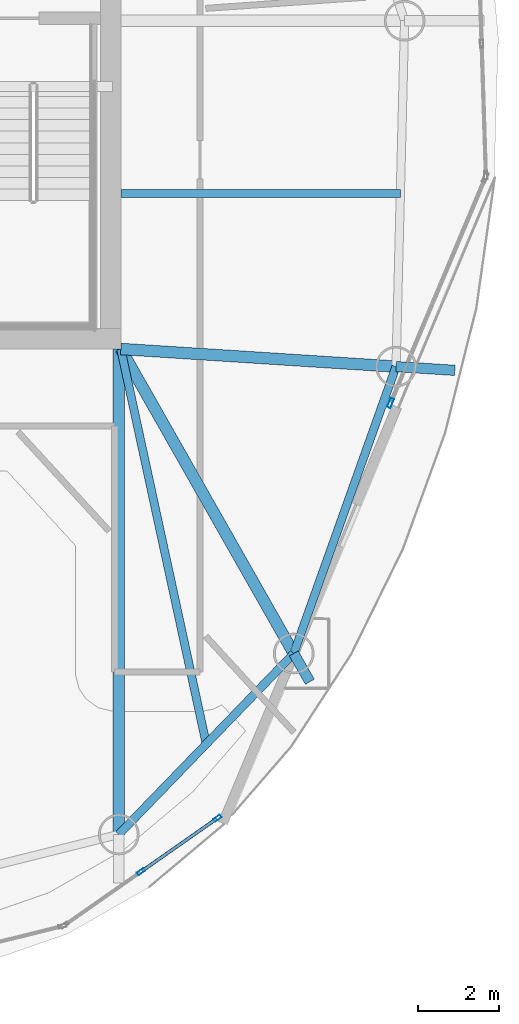
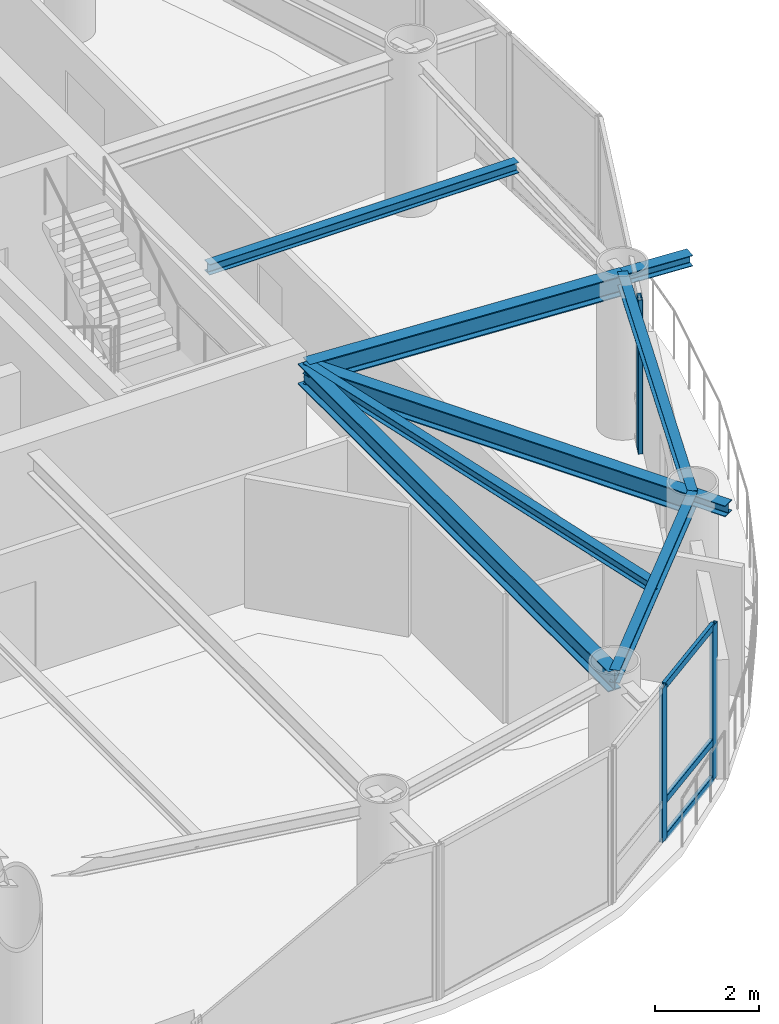
# One storey, part 8 of 23: 9 beams, 6 members, 2 elements without a shape of their own.
"""IFC4 building model written with IfcOpenShell, lengths in metres."""

from ifc_helpers import new_model, si_unit, direction, frame, origin, origin_2d, place, context, subcontext, project, spatial, hollow_rectangle, i_section, extrude, material, layer, layer_set, material_profile, profile_set, type_object, element, aggregate, save


model = new_model("IFC4")

# Units and contexts
model_context = context("Model", 3, precision=1e-05, world=origin(), true_north=direction((0.0, 1.0)))
body_context = subcontext(model_context, "Body", "Model", "MODEL_VIEW")
ifc_project = project(units=[si_unit("LENGTHUNIT", "METRE"), si_unit("AREAUNIT", "SQUARE_METRE"), si_unit("VOLUMEUNIT", "CUBIC_METRE"), si_unit("PLANEANGLEUNIT", "RADIAN"), si_unit("MASSUNIT", "GRAM", prefix="KILO")], contexts=[model_context])

# Site, building, storey
site_placement = place(None, origin())
site = spatial("IfcSite", under=ifc_project, at=site_placement, CompositionType="ELEMENT")
building_placement = place(site_placement, origin())
building = spatial("IfcBuilding", under=site, at=building_placement, Name="Bramvorn Convention Spire", CompositionType="ELEMENT")
storey_placement = place(building_placement, frame((0.0, 0.0, 295.949951171875)))
storey = spatial("IfcBuildingStorey", under=building, at=storey_placement, Name="L75", CompositionType="ELEMENT", Elevation=295.949951171875)

# Beams
ifc_material_1 = material(Name="Steel CSA G40.21 Grade 350 (350W)", Category="steel")
ifc_material_profile_1 = material_profile(ifc_material_1, i_section(OverallWidth=0.201904296875, OverallDepth=0.2470703125, WebThickness=0.00732421875, FlangeThickness=0.010986328125, FilletRadius=0.011962890625, at=origin_2d()))
ifc_profile_set_1 = profile_set([ifc_material_profile_1], Name="Steel CSA G40.21 Grade 350 (350W) - W250X49")
beam_type_1 = type_object("IfcBeamType", Name="BM-W250X49", PredefinedType="JOIST", material=ifc_profile_set_1)
beam_1_placement = place(storey_placement, frame((49.25, 18.550048828125, 3.50146484375), z_axis=(0.211461445939, -0.977386339623, 0.0), x_axis=(0.977386339623, 0.211461445939, 0.0)))
element("IfcBeam", 1, at=beam_1_placement, inside=storey, type_object=beam_type_1, Name="L75 composite floor joist 01", PredefinedType="JOIST", context=body_context, shape_type="SweptSolid", body=[
    extrude(i_section(OverallWidth=0.201904296875, OverallDepth=0.2470703125, WebThickness=0.00732421875, FlangeThickness=0.010986328125, FilletRadius=0.011962890625, at=origin_2d()), origin(), (0.0, 0.0, 1.0), 9.9462890625),
])
beam_2_placement = place(storey_placement, frame((49.25, 22.373046875, 3.50146484375), z_axis=(1.0, 0.0, 0.0), x_axis=(0.0, 1.0, 0.0)))
element("IfcBeam", 2, at=beam_2_placement, inside=storey, type_object=beam_type_1, Name="L75 composite floor joist 03", PredefinedType="JOIST", context=body_context, shape_type="SweptSolid", body=[
    extrude(i_section(OverallWidth=0.201904296875, OverallDepth=0.2470703125, WebThickness=0.00732421875, FlangeThickness=0.010986328125, FilletRadius=0.011962890625, at=origin_2d()), origin(), (0.0, 0.0, 1.0), 6.879150390625),
])
ifc_material_profile_2 = material_profile(ifc_material_1, i_section(OverallWidth=0.25390625, OverallDepth=0.2529296875, WebThickness=0.008544921875, FlangeThickness=0.01416015625, FilletRadius=0.011962890625, at=origin_2d()))
ifc_profile_set_2 = profile_set([ifc_material_profile_2], Name="Steel CSA G40.21 Grade 350 (350W) - W250X73")
beam_type_2 = type_object("IfcBeamType", Name="BM-W250X73", PredefinedType="BEAM", material=ifc_profile_set_2)
beam_3_placement = place(storey_placement, frame((53.50634765625, 11.05615234375, 3.49853515625), z_axis=(0.494067079829, -0.869423786556, 0.0), x_axis=(0.869423786556, 0.494067079829, 0.0)))
element("IfcBeam", 3, at=beam_3_placement, inside=storey, type_object=beam_type_2, Name="L75 slab-edge cantilever tip beam MC02", PredefinedType="BEAM", context=body_context, shape_type="SweptSolid", body=[
    extrude(i_section(OverallWidth=0.25390625, OverallDepth=0.2529296875, WebThickness=0.008544921875, FlangeThickness=0.01416015625, FilletRadius=0.011962890625, at=origin_2d()), origin(), (0.0, 0.0, 1.0), 0.800048828125),
])
beam_4_placement = place(storey_placement, frame((56.023681640625, 18.116455078125, 3.49853515625), z_axis=(0.997958355986, -0.063867986646, 0.0), x_axis=(0.063867986646, 0.997958355986, 0.0)))
element("IfcBeam", 4, at=beam_4_placement, inside=storey, type_object=beam_type_2, Name="L75 slab-edge cantilever tip beam MC03", PredefinedType="BEAM", context=body_context, shape_type="SweptSolid", body=[
    extrude(i_section(OverallWidth=0.25390625, OverallDepth=0.2529296875, WebThickness=0.008544921875, FlangeThickness=0.01416015625, FilletRadius=0.011962890625, at=origin_2d()), origin(), (0.0, 0.0, 1.0), 1.44873046875),
])
ifc_material_profile_3 = material_profile(ifc_material_1, i_section(OverallWidth=0.202880859375, OverallDepth=0.302978515625, WebThickness=0.007568359375, FlangeThickness=0.01318359375, FilletRadius=0.013916015625, at=origin_2d()))
ifc_profile_set_3 = profile_set([ifc_material_profile_3], Name="Steel CSA G40.21 Grade 350 (350W) - W310X60")
beam_type_3 = type_object("IfcBeamType", Name="BM-W310X60", PredefinedType="JOIST", material=ifc_profile_set_3)
beam_5_placement = place(storey_placement, frame((49.199951171875, 6.60107421875, 3.4736328125), z_axis=(0.695007159797, 0.719002814898, 0.0), x_axis=(-0.719002814898, 0.695007159797, 0.0)))
element("IfcBeam", 5, at=beam_5_placement, inside=storey, type_object=beam_type_3, Name="L75 mega-column ring beam 01", PredefinedType="JOIST", context=body_context, shape_type="SweptSolid", body=[
    extrude(i_section(OverallWidth=0.202880859375, OverallDepth=0.302978515625, WebThickness=0.007568359375, FlangeThickness=0.01318359375, FilletRadius=0.013916015625, at=origin_2d()), origin(), (0.0, 0.0, 1.0), 6.1962890625),
])
beam_6_placement = place(storey_placement, frame((53.50634765625, 11.05615234375, 3.4736328125), z_axis=(0.335839090413, 0.941919373063, 0.0), x_axis=(-0.941919373063, 0.335839090413, 0.0)))
element("IfcBeam", 6, at=beam_6_placement, inside=storey, type_object=beam_type_3, Name="L75 mega-column ring beam 02", PredefinedType="JOIST", context=body_context, shape_type="SweptSolid", body=[
    extrude(i_section(OverallWidth=0.202880859375, OverallDepth=0.302978515625, WebThickness=0.007568359375, FlangeThickness=0.01318359375, FilletRadius=0.013916015625, at=origin_2d()), origin(), (0.0, 0.0, 1.0), 7.49560546875),
])
ifc_material_profile_4 = material_profile(ifc_material_1, i_section(OverallWidth=0.283935546875, OverallDepth=0.47607421875, WebThickness=0.014892578125, FlangeThickness=0.02392578125, FilletRadius=0.01806640625, at=origin_2d()))
ifc_profile_set_4 = profile_set([ifc_material_profile_4], Name="Steel CSA G40.21 Grade 350 (350W) - W460X158")
beam_type_4 = type_object("IfcBeamType", Name="BM-W460X158", PredefinedType="SPANDREL", material=ifc_profile_set_4)
beam_7_placement = place(storey_placement, frame((49.199951171875, 18.550048828125, 3.386962890625), z_axis=(0.0, -1.0, 0.0), x_axis=(1.0, 0.0, 0.0)))
element("IfcBeam", 7, at=beam_7_placement, inside=storey, type_object=beam_type_4, Name="L75 radial floor girder MC01", PredefinedType="SPANDREL", context=body_context, shape_type="SweptSolid", body=[
    extrude(i_section(OverallWidth=0.283935546875, OverallDepth=0.47607421875, WebThickness=0.014892578125, FlangeThickness=0.02392578125, FilletRadius=0.01806640625, at=origin_2d()), origin(), (0.0, 0.0, 1.0), 11.948974609375),
])
beam_8_placement = place(storey_placement, frame((49.25, 18.550048828125, 3.386962890625), z_axis=(0.493873612118, -0.869533699895, 0.0), x_axis=(0.869533699895, 0.493873612118, 0.0)))
element("IfcBeam", 8, at=beam_8_placement, inside=storey, type_object=beam_type_4, Name="L75 radial floor girder MC02", PredefinedType="SPANDREL", context=body_context, shape_type="SweptSolid", body=[
    extrude(i_section(OverallWidth=0.283935546875, OverallDepth=0.47607421875, WebThickness=0.014892578125, FlangeThickness=0.02392578125, FilletRadius=0.01806640625, at=origin_2d()), origin(), (0.0, 0.0, 1.0), 8.618408203125),
])
beam_9_placement = place(storey_placement, frame((49.25, 18.550048828125, 3.386962890625), z_axis=(0.997957536354, -0.063880792379, 0.0), x_axis=(0.063880792379, 0.997957536354, 0.0)))
element("IfcBeam", 9, at=beam_9_placement, inside=storey, type_object=beam_type_4, Name="L75 radial floor girder MC03", PredefinedType="SPANDREL", context=body_context, shape_type="SweptSolid", body=[
    extrude(i_section(OverallWidth=0.283935546875, OverallDepth=0.47607421875, WebThickness=0.014892578125, FlangeThickness=0.02392578125, FilletRadius=0.01806640625, at=origin_2d()), origin(), (0.0, 0.0, 1.0), 6.78759765625),
])

# Curtain wall, members
ifc_material_2 = material(Name="Anodised Bronze Unitised Curtain Wall", Category="aluminium")
ifc_layer_1 = layer(ifc_material_2, 0.179931640625)
ifc_layer_set_1 = layer_set([ifc_layer_1], Name="Anodised Bronze Unitised Curtain Wall - CW-OFF-FRIT")
curtain_wall_type_1 = type_object("IfcCurtainWallType", Name="CW-OFF-FRIT", PredefinedType="USERDEFINED", material=ifc_layer_set_1)
curtain_wall_1_placement = place(storey_placement, origin())
curtain_wall_1 = element("IfcCurtainWall", 10, at=curtain_wall_1_placement, inside=storey, type_object=curtain_wall_type_1, Name="L75 fritted glass curtain wall 01", ObjectType="UNITISED CURTAIN WALL", PredefinedType="USERDEFINED")
ifc_material_3 = material(Name="Anodised Bronze Aluminium 6063-T6", Category="aluminium")
ifc_material_profile_5 = material_profile(ifc_material_3, hollow_rectangle(XDim=0.080078125, YDim=0.199951171875, WallThickness=0.00390625, InnerFilletRadius=0.0009765625, OuterFilletRadius=0.00390625, at=origin_2d()))
ifc_profile_set_5 = profile_set([ifc_material_profile_5], Name="Anodised Bronze Aluminium 6063-T6 - CWM80X200")
member_type_1 = type_object("IfcMemberType", Name="CW-MUL-180", PredefinedType="MULLION", material=ifc_profile_set_5)
member_1_placement = place(storey_placement, frame((51.627685546875, 7.00244140625, 0.0), z_axis=(0.0, 0.0, 1.0), x_axis=(0.573511409168, -0.819197572967, 0.0)))
member_1 = element("IfcMember", 11, at=member_1_placement, type_object=member_type_1, Name="CW3 mullion 1", PredefinedType="MULLION", context=body_context, shape_type="SweptSolid", body=[
    extrude(hollow_rectangle(XDim=0.080078125, YDim=0.199951171875, WallThickness=0.00390625, InnerFilletRadius=0.0009765625, OuterFilletRadius=0.00390625, at=origin_2d()), origin(), (0.0, 0.0, 1.0), 3.625),
])
member_2_placement = place(storey_placement, frame((49.747314453125, 5.68603515625, 0.0), z_axis=(0.0, 0.0, 1.0), x_axis=(0.573511409168, -0.819197572967, 0.0)))
member_2 = element("IfcMember", 12, at=member_2_placement, type_object=member_type_1, Name="CW3 mullion 2", PredefinedType="MULLION", context=body_context, shape_type="SweptSolid", body=[
    extrude(hollow_rectangle(XDim=0.080078125, YDim=0.199951171875, WallThickness=0.00390625, InnerFilletRadius=0.0009765625, OuterFilletRadius=0.00390625, at=origin_2d()), origin(), (0.0, 0.0, 1.0), 3.625),
])

# Curtain wall, member
ifc_layer_2 = layer(ifc_material_2, 0.219970703125)
ifc_layer_set_2 = layer_set([ifc_layer_2], Name="Anodised Bronze Unitised Curtain Wall - CW-SKYGARDEN")
curtain_wall_type_2 = type_object("IfcCurtainWallType", Name="CW-SKYGARDEN", PredefinedType="USERDEFINED", material=ifc_layer_set_2)
curtain_wall_2_placement = place(storey_placement, origin())
curtain_wall_2 = element("IfcCurtainWall", 13, at=curtain_wall_2_placement, inside=storey, type_object=curtain_wall_type_2, Name="L75 Sky Garden glazed facade 04", ObjectType="WINTER GARDEN GLAZING", PredefinedType="USERDEFINED")
ifc_material_profile_6 = material_profile(ifc_material_3, hollow_rectangle(XDim=0.090087890625, YDim=0.239990234375, WallThickness=0.00439453125, InnerFilletRadius=0.0009765625, OuterFilletRadius=0.00439453125, at=origin_2d()))
ifc_profile_set_6 = profile_set([ifc_material_profile_6], Name="Anodised Bronze Aluminium 6063-T6 - CWM90X240")
member_type_2 = type_object("IfcMemberType", Name="CW-MUL-220", PredefinedType="MULLION", material=ifc_profile_set_6)
member_3_placement = place(storey_placement, frame((55.88818359375, 17.2177734375, 0.0), z_axis=(0.0, 0.0, 1.0), x_axis=(0.921819691274, -0.38761895823, 0.0)))
member_3 = element("IfcMember", 14, at=member_3_placement, type_object=member_type_2, Name="CW4 mullion 2", PredefinedType="MULLION", context=body_context, shape_type="SweptSolid", body=[
    extrude(hollow_rectangle(XDim=0.090087890625, YDim=0.239990234375, WallThickness=0.00439453125, InnerFilletRadius=0.0009765625, OuterFilletRadius=0.00439453125, at=origin_2d()), origin(), (0.0, 0.0, 1.0), 3.625),
])
aggregate(curtain_wall_2, [member_3])

# Member
ifc_material_profile_7 = material_profile(ifc_material_3, hollow_rectangle(XDim=0.080078125, YDim=0.159912109375, WallThickness=0.00390625, InnerFilletRadius=0.0009765625, OuterFilletRadius=0.00390625, at=origin_2d()))
ifc_profile_set_7 = profile_set([ifc_material_profile_7], Name="Anodised Bronze Aluminium 6063-T6 - CWT80X160")
member_type_3 = type_object("IfcMemberType", Name="CW-TRN-150", PredefinedType="USERDEFINED", material=ifc_profile_set_7)
member_4_placement = place(storey_placement, frame((51.60302734375, 6.9853515625, 0.030029296875), z_axis=(-0.819180603913, -0.57353564682, 0.0), x_axis=(0.57353564682, -0.819180603913, 0.0)))
member_4 = element("IfcMember", 15, at=member_4_placement, type_object=member_type_3, Name="CW3 transom 1.1", ObjectType="TRANSOM", PredefinedType="USERDEFINED", context=body_context, shape_type="SweptSolid", body=[
    extrude(hollow_rectangle(XDim=0.080078125, YDim=0.159912109375, WallThickness=0.00390625, InnerFilletRadius=0.0009765625, OuterFilletRadius=0.00390625, at=origin_2d()), origin(), (0.0, 0.0, 1.0), 2.235107421875),
])

member_5_placement = place(storey_placement, frame((51.60302734375, 6.9853515625, 0.900146484375), z_axis=(-0.819180603913, -0.57353564682, 0.0), x_axis=(0.57353564682, -0.819180603913, 0.0)))
member_5 = element("IfcMember", 16, at=member_5_placement, type_object=member_type_3, Name="CW3 transom 1.2", ObjectType="TRANSOM", PredefinedType="USERDEFINED", context=body_context, shape_type="SweptSolid", body=[
    extrude(hollow_rectangle(XDim=0.080078125, YDim=0.159912109375, WallThickness=0.00390625, InnerFilletRadius=0.0009765625, OuterFilletRadius=0.00390625, at=origin_2d()), origin(), (0.0, 0.0, 1.0), 2.235107421875),
])

member_6_placement = place(storey_placement, frame((51.60302734375, 6.9853515625, 3.594970703125), z_axis=(-0.819180603913, -0.57353564682, 0.0), x_axis=(0.57353564682, -0.819180603913, 0.0)))
member_6 = element("IfcMember", 17, at=member_6_placement, type_object=member_type_3, Name="CW3 transom 1.3", ObjectType="TRANSOM", PredefinedType="USERDEFINED", context=body_context, shape_type="SweptSolid", body=[
    extrude(hollow_rectangle(XDim=0.080078125, YDim=0.159912109375, WallThickness=0.00390625, InnerFilletRadius=0.0009765625, OuterFilletRadius=0.00390625, at=origin_2d()), origin(), (0.0, 0.0, 1.0), 2.235107421875),
])

aggregate(curtain_wall_1, [member_1, member_2, member_4, member_5, member_6])

save(model, "model.ifc")
